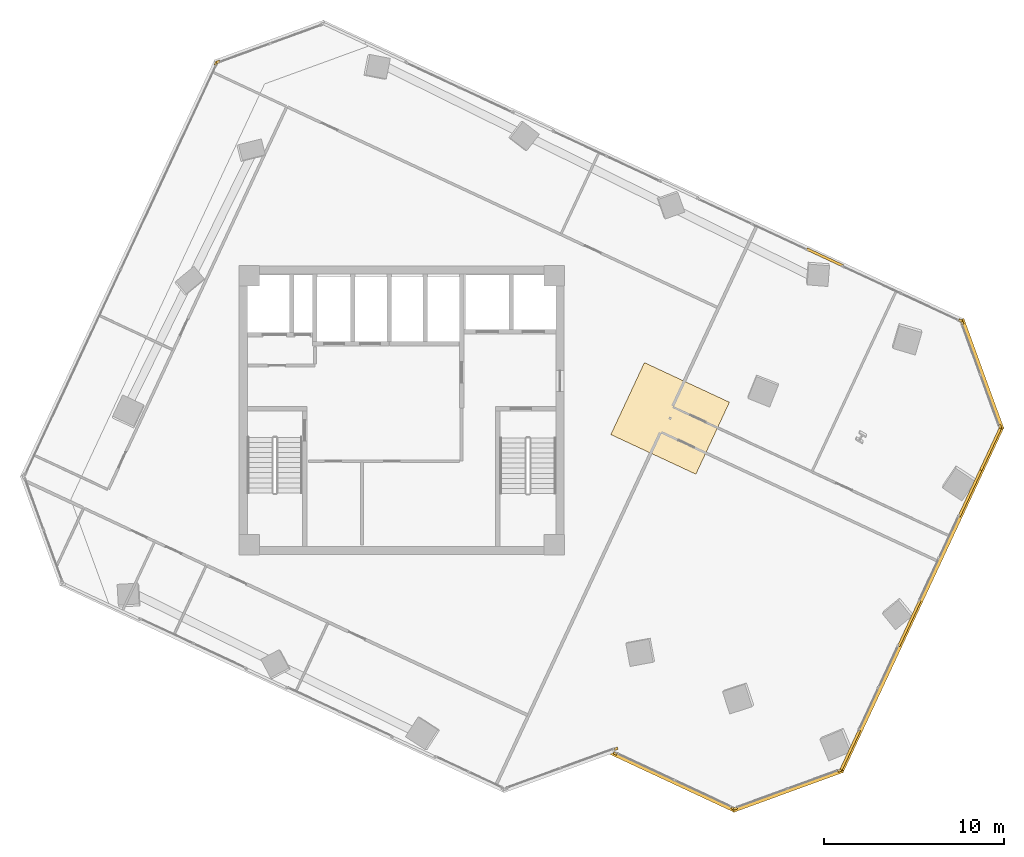
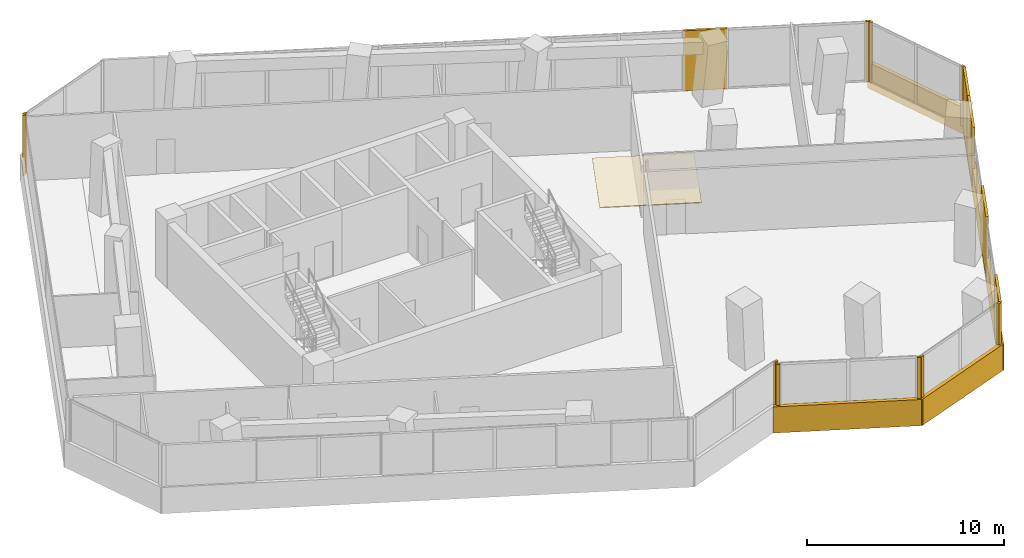
# One storey, part 22 of 23: 20 coverings.
"""IFC4 building model written with IfcOpenShell, lengths in metres."""

from ifc_helpers import new_model, si_unit, direction, frame, origin, origin_2d, place, context, subcontext, project, spatial, polyline, rectangle, outline, extrude, source, transform, mapped, material, layer, layer_set, type_object, element, save


model = new_model("IFC4")

# Units and contexts
model_context = context("Model", 3, precision=1e-05, world=origin(), true_north=direction((0.0, 1.0)))
body_context = subcontext(model_context, "Body", "Model", "MODEL_VIEW")
ifc_project = project(units=[si_unit("LENGTHUNIT", "METRE"), si_unit("AREAUNIT", "SQUARE_METRE"), si_unit("VOLUMEUNIT", "CUBIC_METRE"), si_unit("PLANEANGLEUNIT", "RADIAN"), si_unit("MASSUNIT", "GRAM", prefix="KILO")], contexts=[model_context])

# Site, building, storey
site_placement = place(None, origin())
site = spatial("IfcSite", under=ifc_project, at=site_placement, CompositionType="ELEMENT")
building_placement = place(site_placement, origin())
building = spatial("IfcBuilding", under=site, at=building_placement, Name="Torre Montelarca", CompositionType="ELEMENT")
storey_placement = place(building_placement, frame((0.0, 0.0, 158.199951171875)))
storey = spatial("IfcBuildingStorey", under=building, at=storey_placement, Name="L35", CompositionType="ELEMENT", Elevation=158.199951171875)

# Coverings
ifc_material_1 = material(Name="Micro-perforated walnut timber acoustic slat", Category="wood")
ifc_layer_1 = layer(ifc_material_1, 0.050048828125, Name="Micro-perforated walnut timber acoustic slat", Category="wood")
ifc_layer_set_1 = layer_set([ifc_layer_1], Name="Micro-perforated walnut timber acoustic slat")
covering_type_1 = type_object("IfcCoveringType", Name="COV-CEIL-WD2", PredefinedType="CEILING", material=ifc_layer_set_1)
covering_1_placement = place(storey_placement, frame((0.0, 0.0, 2.719970703125)))
element("IfcCovering", 1, at=covering_1_placement, inside=storey, type_object=covering_type_1, Name="L35 Acoustic Suspended Ceiling 01", PredefinedType="CEILING", context=body_context, shape_type="SweptSolid", body=[
    extrude(outline(polyline([(29.589599609375, 30.6552734375), (34.302490234375, 28.45751953125), (36.161865234375, 32.4453125), (31.44921875, 34.642822265625), (29.589599609375, 30.6552734375)])), origin(), (0.0, 0.0, 1.0), 0.050048828125),
])
ifc_material_2 = material(Name="Bush-hammered warm white precast concrete C45/55", Category="concrete")
ifc_layer_2 = layer(ifc_material_2, 0.139892578125, Name="Bush-hammered warm white precast concrete C45/55", Category="concrete")
ifc_layer_set_2 = layer_set([ifc_layer_2], Name="Bush-hammered warm white precast concrete C45/55")
covering_type_2 = type_object("IfcCoveringType", Name="COV-TRAY-CLAD", PredefinedType="CLADDING", material=ifc_layer_set_2)
shared_shape_1 = source(origin(), body_context, "Body", "SweptSolid", [
    extrude(rectangle(XDim=6.48388671875, YDim=0.219970703125, at=origin_2d()), origin(), (0.0, 0.0, 1.0), 1.6201171875),
])
for number, where, z_axis, x_axis, name in (
    (2, (39.402099609375, 10.931396484375, -0.449951171875), (0.0, 0.0, 1.0), (0.939693217722, 0.342018503252, 0.0), "L35 Architectural White Spandrel Tray Band TRYBOT-05"),
    (3, (50.160888671875, 34.00390625, -0.449951171875), (0.0, 0.0, 1.0), (-0.34202342347, 0.939691426905, 0.0), "L35 Architectural White Spandrel Tray Band TRYBOT-07"),
):
    element("IfcCovering", number, at=place(storey_placement, frame(where, z_axis=z_axis, x_axis=x_axis)), inside=storey, type_object=covering_type_2, Name=name, PredefinedType="CLADDING", context=body_context, shape_type="MappedRepresentation", body=[
        mapped(shared_shape_1, transform((0.0, 0.0, 0.0), scale=1.0)),
    ])
shared_shape_2 = source(origin(), body_context, "Body", "SweptSolid", [
    extrude(rectangle(XDim=21.1201171875, YDim=0.219970703125, at=origin_2d()), origin(), (0.0, 0.0, 1.0), 1.6201171875),
])
covering_2_placement = place(storey_placement, frame((46.812744140625, 21.5205078125, -0.449951171875), z_axis=(0.0, 0.0, 1.0), x_axis=(0.422618261741, 0.906307787037, 0.0)))
element("IfcCovering", 4, at=covering_2_placement, inside=storey, type_object=covering_type_2, Name="L35 Architectural White Spandrel Tray Band TRYBOT-06", PredefinedType="CLADDING", context=body_context, shape_type="MappedRepresentation", body=[
    mapped(shared_shape_2, transform((0.0, 0.0, 0.0), scale=1.0)),
])
shared_shape_3 = source(origin(), body_context, "Body", "SweptSolid", [
    extrude(rectangle(XDim=0.199951171875, YDim=0.139892578125, at=origin_2d()), origin(), (0.0, 0.0, 1.0), 3.719970703125),
])
for number, where, z_axis, x_axis, name in (
    (5, (29.873291015625, 13.24609375, 0.0), (0.0, 0.0, 1.0), (0.939695008514, 0.342013583025, 0.0), "L35 Architectural Column Pier Cladding E02-2"),
    (6, (29.837158203125, 12.985107421875, 0.0), (0.0, 0.0, 1.0), (0.906309262247, -0.422615098127, 0.0), "L35 Architectural Column Pier Cladding E04-1"),
    (7, (36.355224609375, 9.945556640625, 0.0), (0.0, 0.0, 1.0), (0.906309262247, -0.422615098127, 0.0), "L35 Architectural Column Pier Cladding E04-2"),
    (8, (36.50048828125, 9.939208984375, 0.0), (0.0, 0.0, 1.0), (0.939695605439, 0.342011942948, 0.0), "L35 Architectural Column Pier Cladding E05-1"),
    (9, (42.2626953125, 12.03662109375, 0.0), (0.0, 0.0, 1.0), (0.939695605439, 0.342011942948, 0.0), "L35 Architectural Column Pier Cladding E05-2"),
    (10, (51.1533203125, 31.102294921875, 0.0), (0.0, 0.0, 1.0), (-0.342016863178, 0.939693814656, 0.0), "L35 Architectural Column Pier Cladding E07-1"),
    (11, (49.055908203125, 36.864501953125, 0.0), (0.0, 0.0, 1.0), (-0.342016863178, 0.939693814656, 0.0), "L35 Architectural Column Pier Cladding E07-2"),
    (12, (48.9580078125, 36.9716796875, 0.0), (0.0, 0.0, 1.0), (-0.906307787037, 0.422618261741, 0.0), "L35 Architectural Column Pier Cladding E08-1"),
    (13, (7.82373046875, 51.30712890625, 0.0), (0.0, 0.0, 1.0), (-0.939693814656, -0.342016863178, 0.0), "L35 Architectural Column Pier Cladding E09-2"),
    (14, (7.716796875, 51.208984375, 0.0), (0.0, 0.0, 1.0), (-0.422618261741, -0.906307787037, 0.0), "L35 Architectural Column Pier Cladding E10-1"),
):
    element("IfcCovering", number, at=place(storey_placement, frame(where, z_axis=z_axis, x_axis=x_axis)), inside=storey, type_object=covering_type_2, Name=name, PredefinedType="CLADDING", context=body_context, shape_type="MappedRepresentation", body=[
        mapped(shared_shape_3, transform((0.0, 0.0, 0.0), scale=1.0)),
    ])
shared_shape_4 = source(origin(), body_context, "Body", "SweptSolid", [
    extrude(rectangle(XDim=2.60400390625, YDim=0.139892578125, at=origin_2d()), origin(), (0.0, 0.0, 1.0), 3.719970703125),
])
covering_3_placement = place(storey_placement, frame((50.638916015625, 29.86767578125, 0.0), z_axis=(0.0, 0.0, 1.0), x_axis=(0.422616679935, 0.906308524643, 0.0)))
element("IfcCovering", 15, at=covering_3_placement, inside=storey, type_object=covering_type_2, Name="L35 Architectural Column Pier Cladding E06-4", PredefinedType="CLADDING", context=body_context, shape_type="MappedRepresentation", body=[
    mapped(shared_shape_4, transform((0.0, 0.0, 0.0), scale=1.0)),
])
shared_shape_5 = source(origin(), body_context, "Body", "SweptSolid", [
    extrude(rectangle(XDim=7.6201171875, YDim=0.219970703125, at=origin_2d()), origin(), (0.0, 0.0, 1.0), 1.6201171875),
])
covering_4_placement = place(storey_placement, frame((33.036376953125, 11.427001953125, -0.449951171875), z_axis=(0.0, 0.0, 1.0), x_axis=(0.906309262247, -0.422615098127, 0.0)))
element("IfcCovering", 16, at=covering_4_placement, inside=storey, type_object=covering_type_2, Name="L35 Architectural White Spandrel Tray Band TRYBOT-04", PredefinedType="CLADDING", context=body_context, shape_type="MappedRepresentation", body=[
    mapped(shared_shape_5, transform((0.0, 0.0, 0.0), scale=1.0)),
])
shared_shape_6 = source(origin(), body_context, "Body", "SweptSolid", [
    extrude(rectangle(XDim=2.464111328125, YDim=0.139892578125, at=origin_2d()), origin(), (0.0, 0.0, 1.0), 3.719970703125),
])
covering_5_placement = place(storey_placement, frame((42.848388671875, 13.16064453125, 0.0), z_axis=(0.0, 0.0, 1.0), x_axis=(0.422616679935, 0.906308524643, 0.0)))
element("IfcCovering", 17, at=covering_5_placement, inside=storey, type_object=covering_type_2, Name="L35 Architectural Column Pier Cladding E06-1", PredefinedType="CLADDING", context=body_context, shape_type="MappedRepresentation", body=[
    mapped(shared_shape_6, transform((0.0, 0.0, 0.0), scale=1.0)),
])
shared_shape_7 = source(origin(), body_context, "Body", "SweptSolid", [
    extrude(rectangle(XDim=2.7880859375, YDim=0.139892578125, at=origin_2d()), origin(), (0.0, 0.0, 1.0), 3.719970703125),
])
covering_6_placement = place(storey_placement, frame((46.129150390625, 20.1962890625, 0.0), z_axis=(0.0, 0.0, 1.0), x_axis=(0.422616679935, 0.906308524643, 0.0)))
element("IfcCovering", 18, at=covering_6_placement, inside=storey, type_object=covering_type_2, Name="L35 Architectural Column Pier Cladding E06-2", PredefinedType="CLADDING", context=body_context, shape_type="MappedRepresentation", body=[
    mapped(shared_shape_7, transform((0.0, 0.0, 0.0), scale=1.0)),
])
shared_shape_8 = source(origin(), body_context, "Body", "SweptSolid", [
    extrude(rectangle(XDim=2.2099609375, YDim=0.139892578125, at=origin_2d()), origin(), (0.0, 0.0, 1.0), 3.719970703125),
])
covering_7_placement = place(storey_placement, frame((41.44970703125, 40.47265625, 0.0), z_axis=(0.0, 0.0, 1.0), x_axis=(-0.906307787037, 0.422618261741, 0.0)))
element("IfcCovering", 19, at=covering_7_placement, inside=storey, type_object=covering_type_2, Name="L35 Architectural Column Pier Cladding E08-2", PredefinedType="CLADDING", context=body_context, shape_type="MappedRepresentation", body=[
    mapped(shared_shape_8, transform((0.0, 0.0, 0.0), scale=1.0)),
])
shared_shape_9 = source(origin(), body_context, "Body", "SweptSolid", [
    extrude(rectangle(XDim=2.940185546875, YDim=0.139892578125, at=origin_2d()), origin(), (0.0, 0.0, 1.0), 3.719970703125),
])
covering_8_placement = place(storey_placement, frame((49.509521484375, 27.44580078125, 0.0), z_axis=(0.0, 0.0, 1.0), x_axis=(0.422616679935, 0.906308524643, 0.0)))
element("IfcCovering", 20, at=covering_8_placement, inside=storey, type_object=covering_type_2, Name="L35 Architectural Column Pier Cladding E06-3", PredefinedType="CLADDING", context=body_context, shape_type="MappedRepresentation", body=[
    mapped(shared_shape_9, transform((0.0, 0.0, 0.0), scale=1.0)),
])

save(model, "model.ifc")
